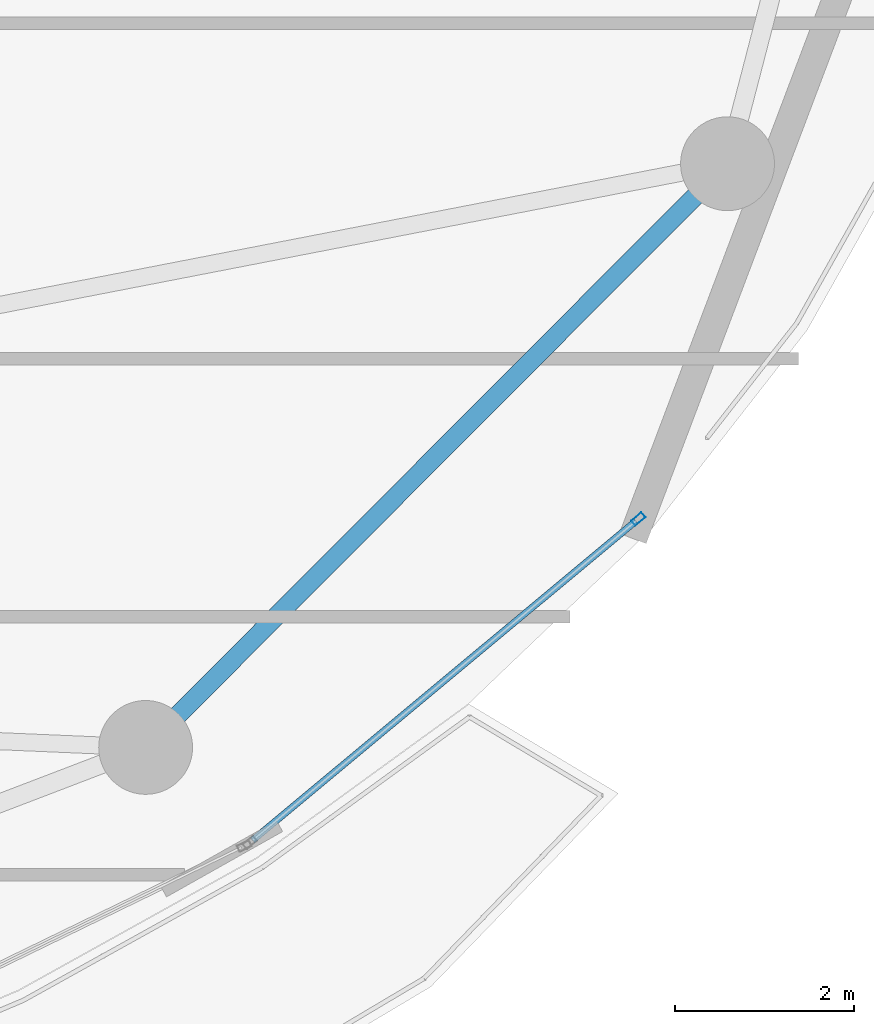
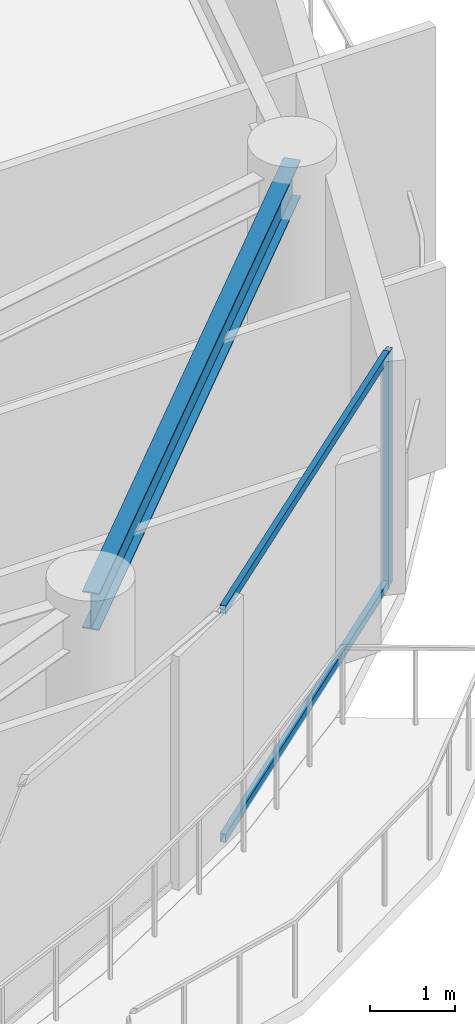
# One storey, part 14 of 31: 3 members, 1 beam, 1 element without a shape of its own.
"""IFC4 building model written with IfcOpenShell, lengths in metres."""

import ifcopenshell
import ifcopenshell.guid

model = None  # the IFC model being written
_history = None  # IfcOwnerHistory: only IFC2X3 demands one
_inside = {}  # id of a spatial element -> (the spatial element, [elements in it])
_under = {}  # id of a project, library or spatial element -> (it, [spatial elements below it])
_declared = {}  # id of a project -> (the project, [libraries it declares])
_typed = {}  # id of a type object -> (the type object, [elements of that type])
_made_of = {}  # id of a material, layer set ... -> (it, [elements and type objects made of it])


def new_model(schema):
    """Start an empty IFC model of exactly this schema.

    Asked for "IFC4X3", IfcOpenShell would pick the latest addendum, in which some entities
    have other attributes; the version numbers below select the first issue.
    IFC2X3 requires an IfcOwnerHistory on every rooted entity: one is made here for all.
    """
    global model, _history
    if schema == "IFC4X3":
        model = ifcopenshell.file(schema_version=(4, 3, 0, 0))
    else:
        model = ifcopenshell.file(schema=schema)
    _inside.clear()
    _under.clear()
    _declared.clear()
    _typed.clear()
    _made_of.clear()
    _history = None
    if model.schema == "IFC2X3":
        org = make("IfcOrganization", Name="unknown")
        user = make(
            "IfcPersonAndOrganization",
            ThePerson=make("IfcPerson", FamilyName="unknown"),
            TheOrganization=org,
        )
        app = make(
            "IfcApplication",
            ApplicationDeveloper=org,
            Version="unknown",
            ApplicationFullName="unknown",
            ApplicationIdentifier="unknown",
        )
        _history = make(
            "IfcOwnerHistory",
            OwningUser=user,
            OwningApplication=app,
            ChangeAction="ADDED",
            CreationDate=0,
        )
    return model


def make(cls, **values):
    """One entity of the class cls with the attributes given. An attribute that is None is left unset."""
    return model.create_entity(
        cls, **{name: value for name, value in values.items() if value is not None}
    )


def rooted(cls, **values):
    """An entity with a GlobalId (a new one), such as an element, a storey or a relation."""
    return make(cls, GlobalId=ifcopenshell.guid.new(), OwnerHistory=_history, **values)


def si_unit(unit_type, name, prefix=None):
    """IfcSIUnit, for example si_unit("LENGTHUNIT", "METRE", prefix="MILLI")."""
    return make("IfcSIUnit", UnitType=unit_type, Prefix=prefix, Name=name)


def assignment(units):
    """IfcUnitAssignment: the units of a project."""
    return None if units is None else make("IfcUnitAssignment", Units=units)


def point(xyz):
    """IfcCartesianPoint."""
    return None if xyz is None else make("IfcCartesianPoint", Coordinates=xyz)


def direction(xyz):
    """IfcDirection."""
    return None if xyz is None else make("IfcDirection", DirectionRatios=xyz)


def frame(location, z_axis=None, x_axis=None):
    """IfcAxis2Placement3D, a coordinate frame: its origin and axes. An axis left out is left unset."""
    return make(
        "IfcAxis2Placement3D",
        Location=point(location),
        Axis=direction(z_axis),
        RefDirection=direction(x_axis),
    )


def frame_2d(location, x_axis=None):
    """IfcAxis2Placement2D, a coordinate frame in the plane: its origin and x axis."""
    return make(
        "IfcAxis2Placement2D", Location=point(location), RefDirection=direction(x_axis)
    )


def origin():
    """The frame at (0, 0, 0) with its axes left unset."""
    return frame((0.0, 0.0, 0.0))


def origin_2d():
    """The frame at (0, 0) in the plane with its x axis left unset."""
    return frame_2d((0.0, 0.0))


def place(relative_to, where):
    """IfcLocalPlacement: puts the frame where relative to a parent placement (None: the world)."""
    return make(
        "IfcLocalPlacement", PlacementRelTo=relative_to, RelativePlacement=where
    )


def context(
    kind, dimensions, precision=None, world=None, true_north=None, identifier=None
):
    """IfcGeometricRepresentationContext, for example the 3D "Model" context."""
    return make(
        "IfcGeometricRepresentationContext",
        ContextIdentifier=identifier,
        ContextType=kind,
        CoordinateSpaceDimension=dimensions,
        Precision=precision,
        WorldCoordinateSystem=world,
        TrueNorth=true_north,
    )


def subcontext(parent, identifier, kind, view, scale=None):
    """IfcGeometricRepresentationSubContext, for example "Body" below "Model"."""
    return make(
        "IfcGeometricRepresentationSubContext",
        ContextIdentifier=identifier,
        ContextType=kind,
        ParentContext=parent,
        TargetScale=scale,
        TargetView=view,
    )


def project(units=None, contexts=None):
    """IfcProject with its units and contexts."""
    return rooted(
        "IfcProject",
        Name="project",
        RepresentationContexts=contexts,
        UnitsInContext=assignment(units),
    )


def spatial(cls, under=None, at=None, **own):
    """A site, building, storey or space (cls), placed at a placement, below another one or the project."""
    s = rooted(cls, ObjectPlacement=at, **own)
    if under is not None:
        _under.setdefault(under.id(), (under, []))[1].append(s)
    return s


def profile(cls, at=None, kind="AREA", **sizes):
    """A parametric profile (cls). Its sizes go by their IFC names, for example OverallWidth=200.0."""
    return make(cls, ProfileType=kind, Position=at, **sizes)


def hollow_rectangle(**sizes):
    """IfcRectangleHollowProfileDef."""
    return profile("IfcRectangleHollowProfileDef", **sizes)


def i_section(**sizes):
    """IfcIShapeProfileDef."""
    return profile("IfcIShapeProfileDef", **sizes)


def extrude(swept, where, along, depth):
    """IfcExtrudedAreaSolid: the profile swept, set in the frame where, extruded along a direction by depth."""
    return make(
        "IfcExtrudedAreaSolid",
        SweptArea=swept,
        Position=where,
        ExtrudedDirection=direction(along),
        Depth=depth,
    )


def shape(context_of_items, identifier, shape_type, items):
    """IfcShapeRepresentation: the items that make up one representation, for example the "Body"."""
    return make(
        "IfcShapeRepresentation",
        ContextOfItems=context_of_items,
        RepresentationIdentifier=identifier,
        RepresentationType=shape_type,
        Items=items,
    )


def material(Name=None, Category=None):
    """IfcMaterial."""
    return make("IfcMaterial", Name=Name, Category=Category)


def layer(
    of_material, thickness, ventilated=None, Name=None, Category=None, Priority=None
):
    """IfcMaterialLayer: one layer of a wall or slab, of a material (None: an air gap)."""
    return make(
        "IfcMaterialLayer",
        Material=of_material,
        LayerThickness=thickness,
        IsVentilated=ventilated,
        Name=Name,
        Category=Category,
        Priority=Priority,
    )


def layer_set(layers, Name=None):
    """IfcMaterialLayerSet."""
    return make("IfcMaterialLayerSet", MaterialLayers=layers, LayerSetName=Name)


def material_profile(
    of_material, cross_section, Name=None, Category=None, Priority=None
):
    """IfcMaterialProfile: a cross section and its material."""
    return make(
        "IfcMaterialProfile",
        Name=Name,
        Material=of_material,
        Profile=cross_section,
        Priority=Priority,
        Category=Category,
    )


def profile_set(profiles, Name=None, composite=None):
    """IfcMaterialProfileSet."""
    return make(
        "IfcMaterialProfileSet",
        Name=Name,
        MaterialProfiles=profiles,
        CompositeProfile=composite,
    )


def made_of(thing, what):
    """Note that an element or type object is made of a material, layer set ...; save() writes the relation."""
    if what is not None:
        _made_of.setdefault(what.id(), (what, []))[1].append(thing)
    return thing


def type_object(cls, material=None, **own):
    """A type object (cls), such as IfcWallType, which elements share."""
    return made_of(rooted(cls, **own), material)


def element(
    cls,
    number,
    at=None,
    inside=None,
    cuts=None,
    type_object=None,
    material=None,
    context=None,
    identifier="Body",
    shape_type=None,
    held_by="IfcProductDefinitionShape",
    body=None,
    shapes=None,
    **own,
):
    """One element of the class cls, such as IfcWall. Its Tag is "e" and its number.

    at: its placement. inside: the storey or other place that contains it. cuts: it is an
    opening in that element (IfcRelVoidsElement). A single representation is given by context,
    identifier, shape_type and body (its items); several are given by shapes. held_by: the class
    of the entity that holds the representations. save() writes the other relations.
    """
    e = rooted(cls, Tag="e%d" % number, ObjectPlacement=at, **own)
    if body is not None:
        shapes = [shape(context, identifier, shape_type, body)]
    if shapes is not None:
        e.Representation = make(held_by, Representations=shapes)
    if inside is not None:
        _inside.setdefault(inside.id(), (inside, []))[1].append(e)
    if cuts is not None:
        rooted(
            "IfcRelVoidsElement", RelatingBuildingElement=cuts, RelatedOpeningElement=e
        )
    if type_object is not None:
        _typed.setdefault(type_object.id(), (type_object, []))[1].append(e)
    return made_of(e, material)


def aggregate(whole, parts):
    """IfcRelAggregates: a whole, such as a stair, and the parts it consists of."""
    return rooted("IfcRelAggregates", RelatingObject=whole, RelatedObjects=parts)


def save(model, path):
    """Write the relations noted so far, then the file.

    IfcRelAggregates (storeys below a building ...), IfcRelContainedInSpatialStructure (elements
    in a storey), IfcRelDefinesByType, IfcRelAssociatesMaterial and IfcRelDeclares: one each for
    every whole, place, type object, material and project.
    """
    for whole, parts in _under.values():
        aggregate(whole, parts)
    for where, things in _inside.values():
        rooted(
            "IfcRelContainedInSpatialStructure",
            RelatedElements=things,
            RelatingStructure=where,
        )
    for kind, things in _typed.values():
        rooted("IfcRelDefinesByType", RelatedObjects=things, RelatingType=kind)
    for what, things in _made_of.values():
        rooted("IfcRelAssociatesMaterial", RelatedObjects=things, RelatingMaterial=what)
    for by, libraries in _declared.values():
        rooted("IfcRelDeclares", RelatingContext=by, RelatedDefinitions=libraries)
    model.write(path)


model = new_model("IFC4")

# Units and contexts
model_context = context("Model", 3, precision=1e-05, world=origin(), true_north=direction((0.0, 1.0)))
body_context = subcontext(model_context, "Body", "Model", "MODEL_VIEW")
ifc_project = project(units=[si_unit("LENGTHUNIT", "METRE"), si_unit("AREAUNIT", "SQUARE_METRE"), si_unit("VOLUMEUNIT", "CUBIC_METRE"), si_unit("PLANEANGLEUNIT", "RADIAN"), si_unit("MASSUNIT", "GRAM", prefix="KILO")], contexts=[model_context])

# Site, building, storey
site_placement = place(None, origin())
site = spatial("IfcSite", under=ifc_project, at=site_placement, CompositionType="ELEMENT")
building_placement = place(site_placement, origin())
building = spatial("IfcBuilding", under=site, at=building_placement, Name="Kazevale Care Tower and Concert Hall", CompositionType="ELEMENT")
storey_placement = place(building_placement, frame((0.0, 0.0, 238.800048828125)))
storey = spatial("IfcBuildingStorey", under=building, at=storey_placement, Name="L63", CompositionType="ELEMENT", Elevation=238.800048828125)

# Curtain wall, members
ifc_material_1 = material(Name="Aluminium 6063-T6 and Low-E Glass", Category="aluminium")
ifc_layer = layer(ifc_material_1, 0.179931640625)
ifc_layer_set = layer_set([ifc_layer], Name="Aluminium 6063-T6 and Low-E Glass")
curtain_wall_type = type_object("IfcCurtainWallType", Name="Sheltered Concave Balcony Curtain Wall CW-5", PredefinedType="NOTDEFINED", material=ifc_layer_set)
curtain_wall_placement = place(storey_placement, origin())
curtain_wall = element("IfcCurtainWall", 1, at=curtain_wall_placement, inside=storey, type_object=curtain_wall_type, Name="cw:L63:f02", PredefinedType="NOTDEFINED")
ifc_material_2 = material(Name="Aluminium 6063-T6", Category="aluminium")
ifc_material_profile_1 = material_profile(ifc_material_2, hollow_rectangle(XDim=0.074951171875, YDim=0.14990234375, WallThickness=0.00390625, at=origin_2d()), Name="ALU75x150x4")
ifc_profile_set_1 = profile_set([ifc_material_profile_1], Name="Aluminium 6063-T6")
member_type_1 = type_object("IfcMemberType", Name="CW-5 Mullion ALU75x150x4", PredefinedType="MULLION", material=ifc_profile_set_1)
member_1_placement = place(storey_placement, frame((71.76318359375, 25.2060546875, 0.0), z_axis=(0.0, 0.0, 1.0), x_axis=(0.639961217204, -0.768407210062, 0.0)))
member_1 = element("IfcMember", 2, at=member_1_placement, type_object=member_type_1, Name="CW-5 mullion 1", PredefinedType="MULLION", context=body_context, shape_type="SweptSolid", body=[
    extrude(hollow_rectangle(XDim=0.074951171875, YDim=0.14990234375, WallThickness=0.00390625, at=origin_2d()), origin(), (0.0, 0.0, 1.0), 3.35986328125),
])
ifc_material_profile_2 = material_profile(ifc_material_2, hollow_rectangle(XDim=0.074951171875, YDim=0.1201171875, WallThickness=0.00390625, at=origin_2d()), Name="ALU75x120x4")
ifc_profile_set_2 = profile_set([ifc_material_profile_2], Name="Aluminium 6063-T6")
member_type_2 = type_object("IfcMemberType", Name="CW-5 Transom ALU75x120x4", PredefinedType="USERDEFINED", material=ifc_profile_set_2)
member_2_placement = place(storey_placement, frame((71.734375, 25.181884765625, 0.037353515625), z_axis=(-0.768432829708, -0.639930454211, 0.0), x_axis=(0.639930454211, -0.768432829708, 0.0)))
member_2 = element("IfcMember", 3, at=member_2_placement, type_object=member_type_2, Name="CW-5 transom 1.1", ObjectType="TRANSOM", PredefinedType="USERDEFINED", context=body_context, shape_type="SweptSolid", body=[
    extrude(hollow_rectangle(XDim=0.074951171875, YDim=0.1201171875, WallThickness=0.00390625, at=origin_2d()), origin(), (0.0, 0.0, 1.0), 5.580078125),
])
member_3_placement = place(storey_placement, frame((71.734375, 25.181884765625, 3.322509765625), z_axis=(-0.768432829708, -0.639930454211, 0.0), x_axis=(0.639930454211, -0.768432829708, 0.0)))
member_3 = element("IfcMember", 4, at=member_3_placement, type_object=member_type_2, Name="CW-5 transom 1.2", ObjectType="TRANSOM", PredefinedType="USERDEFINED", context=body_context, shape_type="SweptSolid", body=[
    extrude(hollow_rectangle(XDim=0.074951171875, YDim=0.1201171875, WallThickness=0.00390625, at=origin_2d()), origin(), (0.0, 0.0, 1.0), 5.580078125),
])
aggregate(curtain_wall, [member_1, member_2, member_3])

# Beam
ifc_material_3 = material(Name="Steel ASTM A572 Gr 50", Category="steel")
ifc_material_profile_3 = material_profile(ifc_material_3, i_section(OverallWidth=0.208984375, OverallDepth=0.532958984375, WebThickness=0.01025390625, FlangeThickness=0.015625, at=origin_2d()), Name="W530x92")
ifc_profile_set_3 = profile_set([ifc_material_profile_3], Name="Steel ASTM A572 Gr 50")
beam_type = type_object("IfcBeamType", Name="Upper Ring Beam W530x92", PredefinedType="BEAM", material=ifc_profile_set_3)
beam_placement = place(storey_placement, frame((66.25, 22.64990234375, 3.093505859375), z_axis=(0.706020373708, 0.708191522054, 0.0), x_axis=(-0.708191522054, 0.706020373708, 0.0)))
element("IfcBeam", 5, at=beam_placement, inside=storey, type_object=beam_type, Name="beam:L63:ring:15", PredefinedType="BEAM", context=body_context, shape_type="SweptSolid", body=[
    extrude(i_section(OverallWidth=0.208984375, OverallDepth=0.532958984375, WebThickness=0.01025390625, FlangeThickness=0.015625, at=origin_2d()), origin(), (0.0, 0.0, 1.0), 9.220703125),
])

save(model, "model.ifc")
